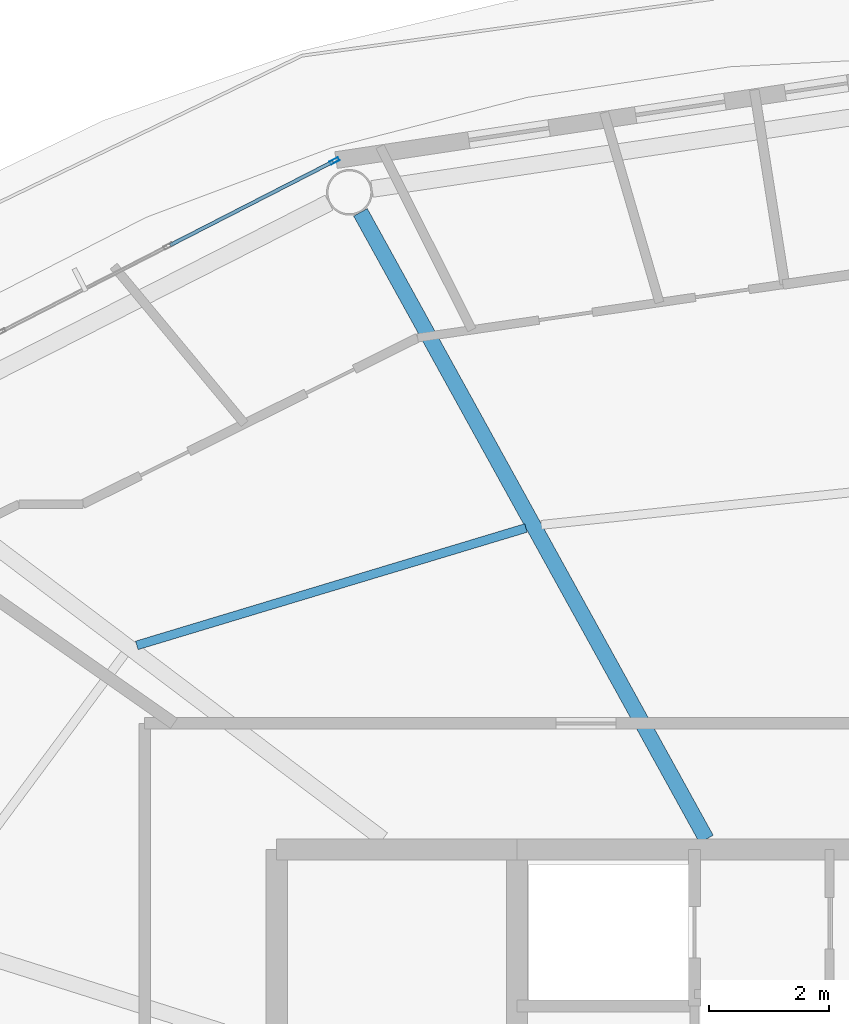
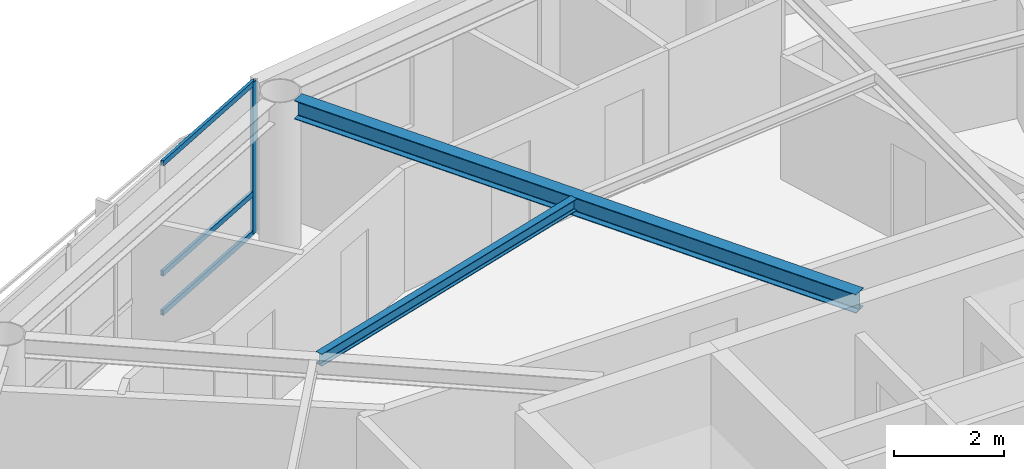
# One storey, part 9 of 23: 4 members, 2 beams, 1 element without a shape of its own.
"""IFC4 building model written with IfcOpenShell, lengths in metres."""

from ifc_helpers import new_model, si_unit, direction, frame, origin, origin_2d, place, context, subcontext, project, spatial, hollow_rectangle, i_section, extrude, material, layer, layer_set, material_profile, profile_set, type_object, element, aggregate, save


model = new_model("IFC4")

# Units and contexts
model_context = context("Model", 3, precision=1e-05, world=origin(), true_north=direction((0.0, 1.0)))
body_context = subcontext(model_context, "Body", "Model", "MODEL_VIEW")
ifc_project = project(units=[si_unit("LENGTHUNIT", "METRE"), si_unit("AREAUNIT", "SQUARE_METRE"), si_unit("VOLUMEUNIT", "CUBIC_METRE"), si_unit("PLANEANGLEUNIT", "RADIAN"), si_unit("MASSUNIT", "GRAM", prefix="KILO")], contexts=[model_context])

# Site, building, storey
site_placement = place(None, origin())
site = spatial("IfcSite", under=ifc_project, at=site_placement, CompositionType="ELEMENT")
building_placement = place(site_placement, origin())
building = spatial("IfcBuilding", under=site, at=building_placement, Name="Sarneth Arch Tower", CompositionType="ELEMENT")
storey_placement = place(building_placement, frame((0.0, 0.0, 273.0)))
storey = spatial("IfcBuildingStorey", under=building, at=storey_placement, Name="L70", CompositionType="ELEMENT", Elevation=273.0)

# Beams
ifc_material_1 = material(Name="Steel S355", Category="steel")
ifc_material_profile_1 = material_profile(ifc_material_1, i_section(OverallWidth=0.14794921875, OverallDepth=0.26611328125, WebThickness=0.007568359375, FlangeThickness=0.012939453125, FilletRadius=0.012939453125, at=origin_2d()), Name="W250x44.8")
ifc_profile_set_1 = profile_set([ifc_material_profile_1], Name="Steel S355")
beam_type_1 = type_object("IfcBeamType", Name="BM-JOIST-250", PredefinedType="JOIST", material=ifc_profile_set_1)
beam_1_placement = place(storey_placement, frame((41.147216796875, 54.15234375, 3.237060546875), z_axis=(-0.957373106971, -0.288854174367, 0.0), x_axis=(0.288854174367, -0.957373106971, 0.0)))
element("IfcBeam", 1, at=beam_1_placement, inside=storey, type_object=beam_type_1, Name="L70 Secondary floor joist 06", PredefinedType="JOIST", context=body_context, shape_type="SweptSolid", body=[
    extrude(i_section(OverallWidth=0.14794921875, OverallDepth=0.26611328125, WebThickness=0.007568359375, FlangeThickness=0.012939453125, FilletRadius=0.012939453125, at=origin_2d()), origin(), (0.0, 0.0, 1.0), 6.76416015625),
])
ifc_material_2 = material(Name="Steel S355", Category="steel")
ifc_material_profile_2 = material_profile(ifc_material_2, i_section(OverallWidth=0.260009765625, OverallDepth=0.4150390625, WebThickness=0.010009765625, FlangeThickness=0.016845703125, FilletRadius=0.01611328125, at=origin_2d()), Name="W410x100")
ifc_profile_set_2 = profile_set([ifc_material_profile_2], Name="Steel S355")
beam_type_2 = type_object("IfcBeamType", Name="BM-RAD-410A", PredefinedType="BEAM", material=ifc_profile_set_2)
beam_2_placement = place(storey_placement, frame((44.150146484375, 48.97509765625, 3.16259765625), z_axis=(-0.483231193732, 0.875492783182, 0.0), x_axis=(-0.875492783182, -0.483231193732, 0.0)))
element("IfcBeam", 2, at=beam_2_placement, inside=storey, type_object=beam_type_2, Name="L70 Radial floor girder 06", PredefinedType="BEAM", context=body_context, shape_type="SweptSolid", body=[
    extrude(i_section(OverallWidth=0.260009765625, OverallDepth=0.4150390625, WebThickness=0.010009765625, FlangeThickness=0.016845703125, FilletRadius=0.01611328125, at=origin_2d()), origin(), (0.0, 0.0, 1.0), 11.913330078125),
])

# Curtain wall, members
ifc_material_3 = material(Name="Anodised aluminium Type AA25 and solar-control low-e laminated IGU", Category="aluminium")
ifc_layer = layer(ifc_material_3, 0.179931640625)
ifc_layer_set = layer_set([ifc_layer], Name="Anodised aluminium Type AA25 and solar-control low-e laminated IGU")
curtain_wall_type = type_object("IfcCurtainWallType", Name="CW-RES-HIGH", PredefinedType="NOTDEFINED", material=ifc_layer_set)
curtain_wall_placement = place(storey_placement, origin())
curtain_wall = element("IfcCurtainWall", 3, at=curtain_wall_placement, inside=storey, type_object=curtain_wall_type, Name="L70 Unitised curtain wall facet 06", PredefinedType="NOTDEFINED")
ifc_material_4 = material(Name="Anodised Aluminium 6063-T6", Category="aluminium")
ifc_material_profile_3 = material_profile(ifc_material_4, hollow_rectangle(XDim=0.06005859375, YDim=0.159912109375, WallThickness=0.00390625, at=origin_2d()), Name="AL-MULL-160x60x4")
ifc_profile_set_3 = profile_set([ifc_material_profile_3], Name="Anodised Aluminium 6063-T6")
member_type_1 = type_object("IfcMemberType", Name="CW-MULLION", PredefinedType="MULLION", material=ifc_profile_set_3)
member_1_placement = place(storey_placement, frame((37.960693359375, 60.2607421875, 0.0), z_axis=(0.0, 0.0, 1.0), x_axis=(0.455941901753, -0.890009540525, 0.0)))
member_1 = element("IfcMember", 4, at=member_1_placement, type_object=member_type_1, Name="CW-SYS-6 mullion 1", PredefinedType="MULLION", context=body_context, shape_type="SweptSolid", body=[
    extrude(hollow_rectangle(XDim=0.06005859375, YDim=0.159912109375, WallThickness=0.00390625, at=origin_2d()), origin(), (0.0, 0.0, 1.0), 3.3701171875),
])
ifc_material_5 = material(Name="Anodised Aluminium 6063-T6", Category="aluminium")
ifc_material_profile_4 = material_profile(ifc_material_5, hollow_rectangle(XDim=0.06005859375, YDim=0.1201171875, WallThickness=0.00390625, at=origin_2d()), Name="AL-TRAN-120x60x4")
ifc_profile_set_4 = profile_set([ifc_material_profile_4], Name="Anodised Aluminium 6063-T6")
member_type_2 = type_object("IfcMemberType", Name="CW-TRANSOM", PredefinedType="USERDEFINED", material=ifc_profile_set_4)
member_2_placement = place(storey_placement, frame((37.933837890625, 60.2470703125, 0.030029296875), z_axis=(-0.889973523166, -0.456012201662, 0.0), x_axis=(0.456012201662, -0.889973523166, 0.0)))
member_2 = element("IfcMember", 5, at=member_2_placement, type_object=member_type_2, Name="CW-SYS-6 transom 1.1", ObjectType="TRANSOM", PredefinedType="USERDEFINED", context=body_context, shape_type="SweptSolid", body=[
    extrude(hollow_rectangle(XDim=0.06005859375, YDim=0.1201171875, WallThickness=0.00390625, at=origin_2d()), origin(), (0.0, 0.0, 1.0), 3.044677734375),
])
member_3_placement = place(storey_placement, frame((37.933837890625, 60.2470703125, 0.89990234375), z_axis=(-0.889973523166, -0.456012201662, 0.0), x_axis=(0.456012201662, -0.889973523166, 0.0)))
member_3 = element("IfcMember", 6, at=member_3_placement, type_object=member_type_2, Name="CW-SYS-6 transom 1.2", ObjectType="TRANSOM", PredefinedType="USERDEFINED", context=body_context, shape_type="SweptSolid", body=[
    extrude(hollow_rectangle(XDim=0.06005859375, YDim=0.1201171875, WallThickness=0.00390625, at=origin_2d()), origin(), (0.0, 0.0, 1.0), 3.044677734375),
])
member_4_placement = place(storey_placement, frame((37.933837890625, 60.2470703125, 3.340087890625), z_axis=(-0.889973523166, -0.456012201662, 0.0), x_axis=(0.456012201662, -0.889973523166, 0.0)))
member_4 = element("IfcMember", 7, at=member_4_placement, type_object=member_type_2, Name="CW-SYS-6 transom 1.3", ObjectType="TRANSOM", PredefinedType="USERDEFINED", context=body_context, shape_type="SweptSolid", body=[
    extrude(hollow_rectangle(XDim=0.06005859375, YDim=0.1201171875, WallThickness=0.00390625, at=origin_2d()), origin(), (0.0, 0.0, 1.0), 3.044677734375),
])
aggregate(curtain_wall, [member_1, member_2, member_3, member_4])

save(model, "model.ifc")
